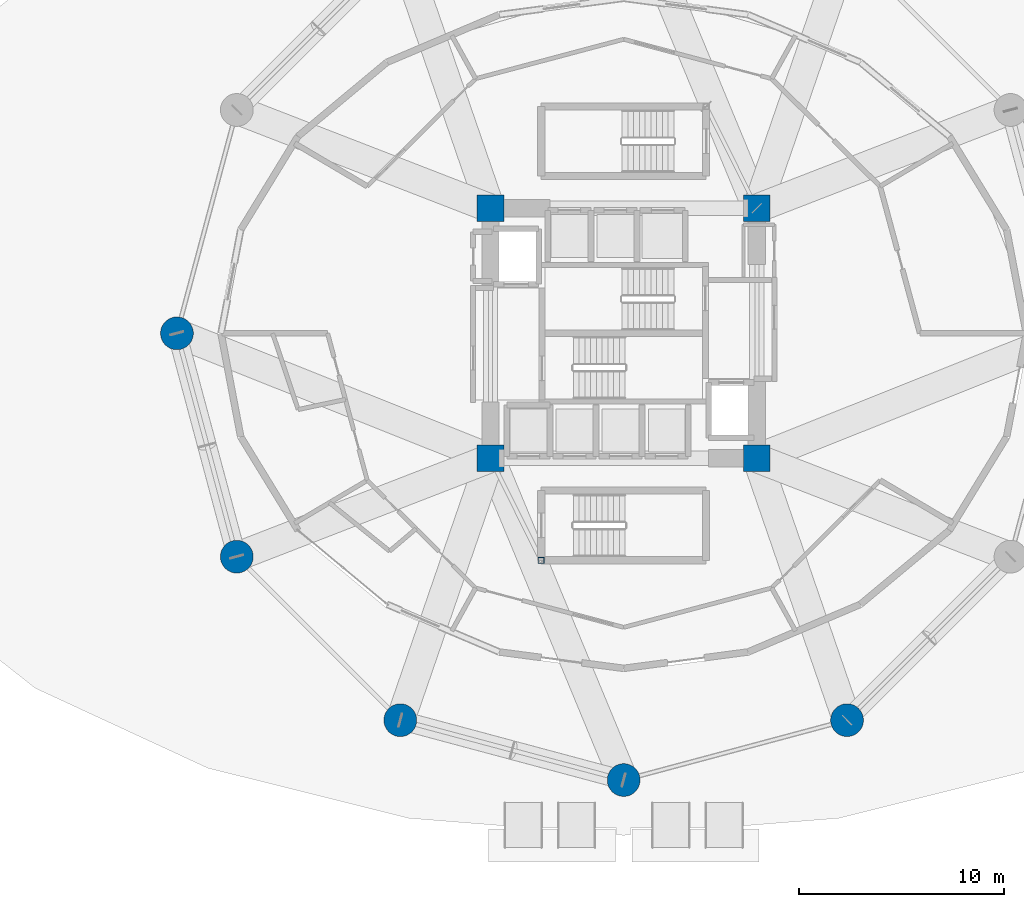
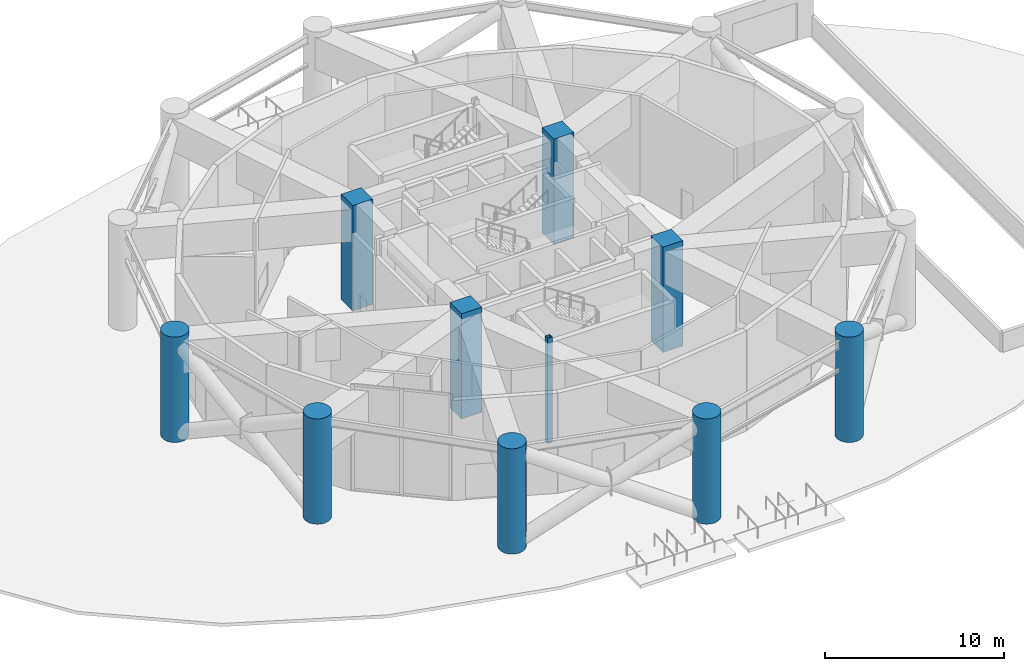
# One storey, part 1 of 16: 10 columns.
"""IFC4 building model written with IfcOpenShell, lengths in metres."""

from ifc_helpers import new_model, si_unit, direction, frame, origin, origin_2d, place, context, subcontext, project, spatial, rectangle, hollow_rectangle, circle, extrude, material, material_profile, profile_set, type_object, element, save


model = new_model("IFC4")

# Units and contexts
model_context = context("Model", 3, precision=1e-05, world=origin(), true_north=direction((0.0, 1.0)))
body_context = subcontext(model_context, "Body", "Model", "MODEL_VIEW")
ifc_project = project(units=[si_unit("LENGTHUNIT", "METRE"), si_unit("AREAUNIT", "SQUARE_METRE"), si_unit("VOLUMEUNIT", "CUBIC_METRE"), si_unit("PLANEANGLEUNIT", "RADIAN"), si_unit("MASSUNIT", "GRAM", prefix="KILO")], contexts=[model_context])

# Site, building, storey
site_placement = place(None, origin())
site = spatial("IfcSite", under=ifc_project, at=site_placement, CompositionType="ELEMENT")
building_placement = place(site_placement, origin())
building = spatial("IfcBuilding", under=site, at=building_placement, Name="Solvirekh Grand Hotel", CompositionType="ELEMENT")
storey_placement = place(building_placement, origin())
storey = spatial("IfcBuildingStorey", under=building, at=storey_placement, Name="L00", CompositionType="ELEMENT", Elevation=0.0)

# Columns
ifc_material_1 = material(Name="Concrete C60/75", Category="concrete")
ifc_material_profile_1 = material_profile(ifc_material_1, rectangle(XDim=1.300048828125, YDim=1.300048828125, at=origin_2d()), Name="RC 1300X1300")
ifc_profile_set_1 = profile_set([ifc_material_profile_1], Name="Concrete C60/75")
column_type_1 = type_object("IfcColumnType", Name="Col_Core_1300", PredefinedType="COLUMN", material=ifc_profile_set_1)
for number, where, z_axis, x_axis, name in (
    (1, (-6.5, -6.10009765625, 0.0), (0.0, 0.0, 1.0), (1.0, 0.0, 0.0), "L00 core corner column CC1"),
    (2, (6.5, -6.10009765625, 0.0), (0.0, 0.0, 1.0), (1.0, 0.0, 0.0), "L00 core corner column CC2"),
    (3, (6.5, 6.10009765625, 0.0), (0.0, 0.0, 1.0), (1.0, 0.0, 0.0), "L00 core corner column CC3"),
    (4, (-6.5, 6.10009765625, 0.0), (0.0, 0.0, 1.0), (1.0, 0.0, 0.0), "L00 core corner column CC4"),
):
    element("IfcColumn", number, at=place(storey_placement, frame(where, z_axis=z_axis, x_axis=x_axis)), inside=storey, type_object=column_type_1, Name=name, PredefinedType="COLUMN", context=body_context, shape_type="SweptSolid", body=[
        extrude(rectangle(XDim=1.300048828125, YDim=1.300048828125, at=origin_2d()), origin(), (0.0, 0.0, 1.0), 7.199951171875),
    ])
ifc_material_2 = material(Name="Steel S355", Category="steel")
ifc_material_profile_2 = material_profile(ifc_material_2, hollow_rectangle(XDim=0.300048828125, YDim=0.300048828125, WallThickness=0.01611328125, at=origin_2d()), Name="SHS 300X300X16")
ifc_profile_set_2 = profile_set([ifc_material_profile_2], Name="Steel S355")
column_type_2 = type_object("IfcColumnType", Name="Col_Pod_SHS300", PredefinedType="COLUMN", material=ifc_profile_set_2)
column_placement = place(storey_placement, frame((-4.02490234375, -11.074951171875, 0.0), z_axis=(0.0, 0.0, 1.0), x_axis=(1.0, 0.0, 0.0)))
element("IfcColumn", 5, at=column_placement, inside=storey, type_object=column_type_2, Name="L00 podium stair enclosure post 1", PredefinedType="COLUMN", context=body_context, shape_type="SweptSolid", body=[
    extrude(hollow_rectangle(XDim=0.300048828125, YDim=0.300048828125, WallThickness=0.01611328125, at=origin_2d()), origin(), (0.0, 0.0, 1.0), 7.199951171875),
])
ifc_material_profile_3 = material_profile(ifc_material_1, circle(Radius=0.800048828125, at=origin_2d()), Name="RC CIRC D1600")
ifc_profile_set_3 = profile_set([ifc_material_profile_3], Name="Concrete C60/75")
column_type_3 = type_object("IfcColumnType", Name="Col_Stilt_D1600", PredefinedType="COLUMN", material=ifc_profile_set_3)
for number, where, z_axis, x_axis, name in (
    (6, (-21.800048828125, 0.0, 0.0), (0.0, 0.0, 1.0), (1.0, 0.0, 0.0), "L00 raking plaza stilt column P07"),
    (7, (-18.87890625, -10.89990234375, 0.0), (0.0, 0.0, 1.0), (1.0, 0.0, 0.0), "L00 raking plaza stilt column P08"),
    (8, (-10.89990234375, -18.87890625, 0.0), (0.0, 0.0, 1.0), (1.0, 0.0, 0.0), "L00 raking plaza stilt column P09"),
    (9, (0.0, -21.800048828125, 0.0), (0.0, 0.0, 1.0), (1.0, 0.0, 0.0), "L00 raking plaza stilt column P10"),
    (10, (10.89990234375, -18.87890625, 0.0), (0.0, 0.0, 1.0), (1.0, 0.0, 0.0), "L00 raking plaza stilt column P11"),
):
    element("IfcColumn", number, at=place(storey_placement, frame(where, z_axis=z_axis, x_axis=x_axis)), inside=storey, type_object=column_type_3, Name=name, PredefinedType="COLUMN", context=body_context, shape_type="SweptSolid", body=[
        extrude(circle(Radius=0.800048828125, at=origin_2d()), origin(), (0.0, 0.0, 1.0), 7.199951171875),
    ])

save(model, "model.ifc")
